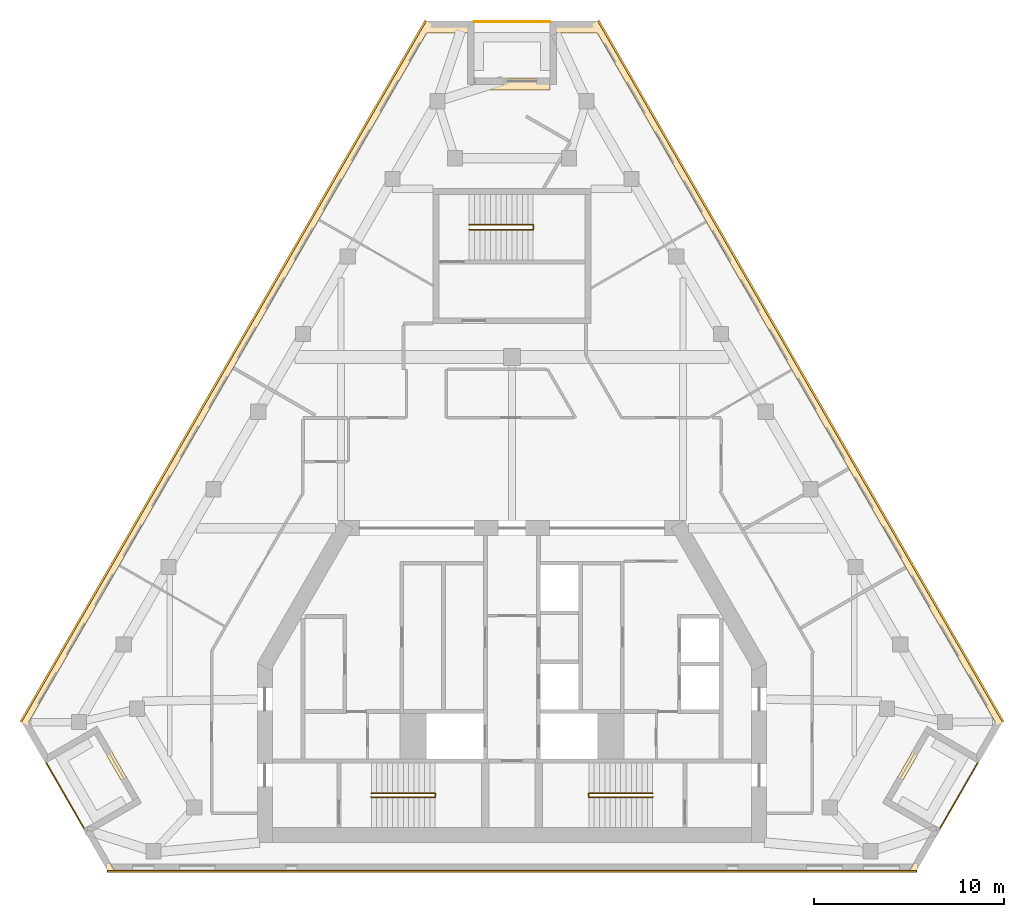
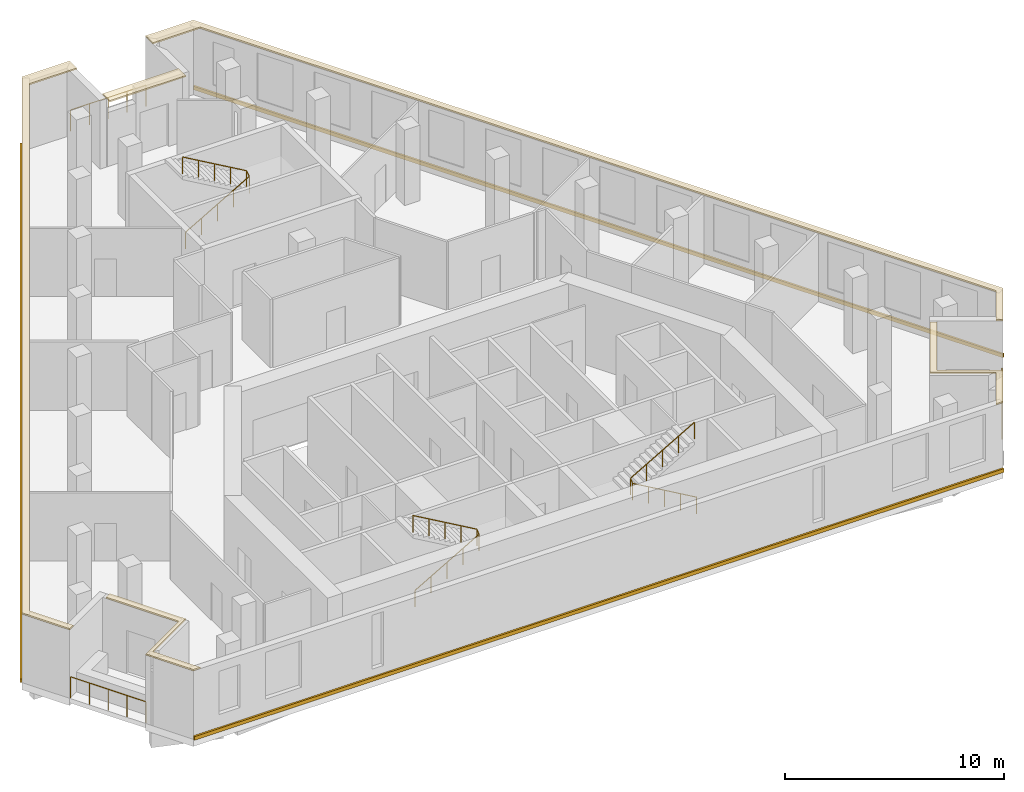
# One storey, part 8 of 8: 8 coverings, 6 railings.
"""IFC4 building model written with IfcOpenShell, lengths in metres."""

from ifc_helpers import new_model, si_unit, direction, frame, origin, origin_2d, place, context, subcontext, project, spatial, polyline, circle, outline, extrude, material, layer, layer_set, type_object, element, save


model = new_model("IFC4")

# Units and contexts
model_context = context("Model", 3, precision=1e-05, world=origin(), true_north=direction((0.0, 1.0)))
body_context = subcontext(model_context, "Body", "Model", "MODEL_VIEW")
ifc_project = project(units=[si_unit("LENGTHUNIT", "METRE"), si_unit("AREAUNIT", "SQUARE_METRE"), si_unit("VOLUMEUNIT", "CUBIC_METRE"), si_unit("PLANEANGLEUNIT", "RADIAN"), si_unit("MASSUNIT", "GRAM", prefix="KILO")], contexts=[model_context])

# Site, building, storey
site_placement = place(None, origin())
site = spatial("IfcSite", under=ifc_project, at=site_placement, CompositionType="ELEMENT")
building_placement = place(site_placement, origin())
building = spatial("IfcBuilding", under=site, at=building_placement, Name="Fogline Exchange Tower", CompositionType="ELEMENT")
storey_placement = place(building_placement, frame((0.0, 0.0, 275.10009765625)))
storey = spatial("IfcBuildingStorey", under=building, at=storey_placement, Name="L62", CompositionType="ELEMENT", Elevation=275.10009765625)

# Coverings
ifc_material_1 = material(Name="Granite", Category="masonry")
ifc_layer = layer(ifc_material_1, 0.080078125)
ifc_layer_set = layer_set([ifc_layer], Name="CP1")
covering_type_1 = type_object("IfcCoveringType", Name="CP1", PredefinedType="USERDEFINED", material=ifc_layer_set)
covering_1_placement = place(storey_placement, frame((0.0, 0.0, 3.7998046875)))
element("IfcCovering", 1, at=covering_1_placement, inside=storey, type_object=covering_type_1, Name="Ledge coping L62", ObjectType="COPING", PredefinedType="USERDEFINED", context=body_context, shape_type="SweptSolid", body=[
    extrude(outline(polyline([(-24.547119140625, 5.629150390625), (-24.267578125, 5.790283203125), (-25.424560546875, 7.794189453125), (-4.5, 44.03662109375), (-2.0, 44.03662109375), (-2.0, 44.681640625), (-4.5, 44.681640625), (-25.797119140625, 7.794189453125), (-24.547119140625, 5.629150390625)])), origin(), (0.0, 0.0, 1.0), 0.080078125),
])
covering_2_placement = place(storey_placement, frame((0.0, 0.0, 3.7998046875)))
element("IfcCovering", 2, at=covering_2_placement, inside=storey, type_object=covering_type_1, Name="Ledge coping L62", ObjectType="COPING", PredefinedType="USERDEFINED", context=body_context, shape_type="SweptSolid", body=[
    extrude(outline(polyline([(-21.297119140625, 0.0), (-20.924560546875, 0.0), (-22.174560546875, 2.1650390625), (-19.576416015625, 3.6650390625), (-21.576416015625, 7.129150390625), (-21.855712890625, 6.968017578125), (-19.948974609375, 3.6650390625), (-22.547119140625, 2.1650390625), (-21.297119140625, 0.0)])), origin(), (0.0, 0.0, 1.0), 0.080078125),
])
covering_3_placement = place(storey_placement, frame((0.0, 0.0, 3.7998046875)))
element("IfcCovering", 3, at=covering_3_placement, inside=storey, type_object=covering_type_1, Name="Ledge coping L62", ObjectType="COPING", PredefinedType="USERDEFINED", context=body_context, shape_type="SweptSolid", body=[
    extrude(outline(polyline([(19.948974609375, 3.6650390625), (21.855712890625, 6.968017578125), (21.576416015625, 7.129150390625), (19.576416015625, 3.6650390625), (22.174560546875, 2.1650390625), (20.924560546875, 0.0), (21.297119140625, 0.0), (22.547119140625, 2.1650390625), (19.948974609375, 3.6650390625)])), origin(), (0.0, 0.0, 1.0), 0.080078125),
])
covering_4_placement = place(storey_placement, frame((0.0, 0.0, 3.7998046875)))
element("IfcCovering", 4, at=covering_4_placement, inside=storey, type_object=covering_type_1, Name="Ledge coping L62", ObjectType="COPING", PredefinedType="USERDEFINED", context=body_context, shape_type="SweptSolid", body=[
    extrude(outline(polyline([(2.0, 44.681640625), (2.0, 44.03662109375), (4.5, 44.03662109375), (25.424560546875, 7.794189453125), (24.267578125, 5.790283203125), (24.547119140625, 5.629150390625), (25.797119140625, 7.794189453125), (4.5, 44.681640625), (2.0, 44.681640625)])), origin(), (0.0, 0.0, 1.0), 0.080078125),
])
covering_5_placement = place(storey_placement, frame((0.0, 0.0, 3.7998046875)))
element("IfcCovering", 5, at=covering_5_placement, inside=storey, type_object=covering_type_1, Name="Ledge coping L62", ObjectType="COPING", PredefinedType="USERDEFINED", context=body_context, shape_type="SweptSolid", body=[
    extrude(outline(polyline([(2.0, 41.681640625), (-2.0, 41.681640625), (-2.0, 41.03662109375), (2.0, 41.03662109375), (2.0, 41.681640625)])), origin(), (0.0, 0.0, 1.0), 0.080078125),
])

# Railings
ifc_material_2 = material(Name="Stainless steel 304", Category="steel")
railing_type_1 = type_object("IfcRailingType", Name="G1", PredefinedType="GUARDRAIL", material=ifc_material_2)
railing_1_placement = place(storey_placement, frame((-24.4931640625, 5.635986328125, 0.0)))
element("IfcRailing", 6, at=railing_1_placement, inside=storey, type_object=railing_type_1, Name="Balcony guard L62 SW", PredefinedType="GUARDRAIL", context=body_context, shape_type="SweptSolid", body=[
    extrude(circle(Radius=0.02392578125, at=origin_2d()), frame((0.0, 0.0, 1.17578125), z_axis=(0.500000102728, -0.866025344474, 0.0), x_axis=(0.866025344474, 0.500000102728, 0.0)), (0.0, 0.0, 1.0), 3.9580078125),
    extrude(circle(Radius=0.02099609375, at=origin_2d()), origin(), (0.0, 0.0, 1.0), 1.15185546875),
    extrude(circle(Radius=0.02099609375, at=origin_2d()), frame((0.49462890625, -0.85693359375, 0.0)), (0.0, 0.0, 1.0), 1.15185546875),
    extrude(circle(Radius=0.02099609375, at=origin_2d()), frame((0.989501953125, -1.7138671875, 0.0)), (0.0, 0.0, 1.0), 1.15185546875),
    extrude(circle(Radius=0.02099609375, at=origin_2d()), frame((1.484375, -2.57080078125, 0.0)), (0.0, 0.0, 1.0), 1.15185546875),
    extrude(circle(Radius=0.02099609375, at=origin_2d()), frame((1.97900390625, -3.427734375, 0.0)), (0.0, 0.0, 1.0), 1.15185546875),
])
railing_2_placement = place(storey_placement, frame((22.51416015625, 2.208251953125, 0.0)))
element("IfcRailing", 7, at=railing_2_placement, inside=storey, type_object=railing_type_1, Name="Balcony guard L62 SE", PredefinedType="GUARDRAIL", context=body_context, shape_type="SweptSolid", body=[
    extrude(circle(Radius=0.02392578125, at=origin_2d()), frame((0.0, 0.0, 1.17578125), z_axis=(0.500000102728, 0.866025344474, 0.0), x_axis=(-0.866025344474, 0.500000102728, 0.0)), (0.0, 0.0, 1.0), 3.9580078125),
    extrude(circle(Radius=0.02099609375, at=origin_2d()), origin(), (0.0, 0.0, 1.0), 1.15185546875),
    extrude(circle(Radius=0.02099609375, at=origin_2d()), frame((0.49462890625, 0.85693359375, 0.0)), (0.0, 0.0, 1.0), 1.15185546875),
    extrude(circle(Radius=0.02099609375, at=origin_2d()), frame((0.989501953125, 1.7138671875, 0.0)), (0.0, 0.0, 1.0), 1.15185546875),
    extrude(circle(Radius=0.02099609375, at=origin_2d()), frame((1.484375, 2.57080078125, 0.0)), (0.0, 0.0, 1.0), 1.15185546875),
    extrude(circle(Radius=0.02099609375, at=origin_2d()), frame((1.97900390625, 3.427734375, 0.0)), (0.0, 0.0, 1.0), 1.15185546875),
])
railing_3_placement = place(storey_placement, frame((1.97900390625, 44.631591796875, 0.0)))
element("IfcRailing", 8, at=railing_3_placement, inside=storey, type_object=railing_type_1, Name="Balcony guard L62 N", PredefinedType="GUARDRAIL", context=body_context, shape_type="SweptSolid", body=[
    extrude(circle(Radius=0.02392578125, at=origin_2d()), frame((0.0, 0.0, 1.17578125), z_axis=(-1.0, 0.0, 0.0), x_axis=(0.0, -1.0, 0.0)), (0.0, 0.0, 1.0), 3.9580078125),
    extrude(circle(Radius=0.02099609375, at=origin_2d()), origin(), (0.0, 0.0, 1.0), 1.15185546875),
    extrude(circle(Radius=0.02099609375, at=origin_2d()), frame((-0.989501953125, 0.0, 0.0)), (0.0, 0.0, 1.0), 1.15185546875),
    extrude(circle(Radius=0.02099609375, at=origin_2d()), frame((-1.97900390625, 0.0, 0.0)), (0.0, 0.0, 1.0), 1.15185546875),
    extrude(circle(Radius=0.02099609375, at=origin_2d()), frame((-2.968505859375, 0.0, 0.0)), (0.0, 0.0, 1.0), 1.15185546875),
    extrude(circle(Radius=0.02099609375, at=origin_2d()), frame((-3.9580078125, 0.0, 0.0)), (0.0, 0.0, 1.0), 1.15185546875),
])
ifc_material_3 = material(Name="Steel Q235B", Category="steel")
railing_type_2 = type_object("IfcRailingType", Name="RL-HR", PredefinedType="HANDRAIL", material=ifc_material_3)
railing_4_placement = place(storey_placement, frame((-7.39990234375, 3.85009765625, 0.161376953125)))
element("IfcRailing", 9, at=railing_4_placement, inside=storey, type_object=railing_type_2, Name="Handrail ST1", PredefinedType="HANDRAIL", context=body_context, shape_type="SweptSolid", body=[
    extrude(circle(Radius=0.02392578125, at=origin_2d()), frame((0.0, 0.0, 0.92578125), z_axis=(0.866175107563, 0.0, 0.499740615757), x_axis=(0.0, 1.0, 0.0)), (0.0, 0.0, 1.0), 3.87890625),
    extrude(circle(Radius=0.02392578125, at=origin_2d()), frame((3.35986328125, 0.0, 2.8642578125), z_axis=(0.0, 0.777709044463, 0.628624404682), x_axis=(-1.0, 0.0, 0.0)), (0.0, 0.0, 1.0), 0.257080078125),
    extrude(circle(Radius=0.02392578125, at=origin_2d()), frame((3.35986328125, 0.199951171875, 3.02587890625), z_axis=(-0.866175107563, 0.0, 0.499740615757), x_axis=(0.0, -1.0, 0.0)), (0.0, 0.0, 1.0), 3.87890625),
    extrude(circle(Radius=0.02099609375, at=origin_2d()), origin(), (0.0, 0.0, 1.0), 0.90185546875),
    extrude(circle(Radius=0.02099609375, at=origin_2d()), frame((0.83984375, 0.0, 0.484619140625)), (0.0, 0.0, 1.0), 0.90185546875),
    extrude(circle(Radius=0.02099609375, at=origin_2d()), frame((1.679931640625, 0.0, 0.96923828125)), (0.0, 0.0, 1.0), 0.90185546875),
    extrude(circle(Radius=0.02099609375, at=origin_2d()), frame((2.52001953125, 0.0, 1.453857421875)), (0.0, 0.0, 1.0), 0.90185546875),
    extrude(circle(Radius=0.02099609375, at=origin_2d()), frame((3.35986328125, 0.0, 1.9384765625)), (0.0, 0.0, 1.0), 0.90185546875),
    extrude(circle(Radius=0.02099609375, at=origin_2d()), frame((3.35986328125, 0.199951171875, 2.10009765625)), (0.0, 0.0, 1.0), 0.90185546875),
    extrude(circle(Radius=0.02099609375, at=origin_2d()), frame((2.52001953125, 0.199951171875, 2.584716796875)), (0.0, 0.0, 1.0), 0.90185546875),
    extrude(circle(Radius=0.02099609375, at=origin_2d()), frame((1.679931640625, 0.199951171875, 3.0693359375)), (0.0, 0.0, 1.0), 0.90185546875),
    extrude(circle(Radius=0.02099609375, at=origin_2d()), frame((0.83984375, 0.199951171875, 3.553955078125)), (0.0, 0.0, 1.0), 0.90185546875),
    extrude(circle(Radius=0.02099609375, at=origin_2d()), frame((0.0, 0.199951171875, 4.03857421875)), (0.0, 0.0, 1.0), 0.90185546875),
])
railing_5_placement = place(storey_placement, frame((7.39990234375, 3.85009765625, 0.161376953125)))
element("IfcRailing", 10, at=railing_5_placement, inside=storey, type_object=railing_type_2, Name="Handrail ST2", PredefinedType="HANDRAIL", context=body_context, shape_type="SweptSolid", body=[
    extrude(circle(Radius=0.02392578125, at=origin_2d()), frame((0.0, 0.0, 0.92578125), z_axis=(-0.866175107563, 0.0, 0.499740615757), x_axis=(0.0, -1.0, 0.0)), (0.0, 0.0, 1.0), 3.87890625),
    extrude(circle(Radius=0.02392578125, at=origin_2d()), frame((-3.35986328125, 0.0, 2.8642578125), z_axis=(0.0, 0.777709044463, 0.628624404682), x_axis=(-1.0, 0.0, 0.0)), (0.0, 0.0, 1.0), 0.257080078125),
    extrude(circle(Radius=0.02392578125, at=origin_2d()), frame((-3.35986328125, 0.199951171875, 3.02587890625), z_axis=(0.866175107563, 0.0, 0.499740615757), x_axis=(0.0, 1.0, 0.0)), (0.0, 0.0, 1.0), 3.87890625),
    extrude(circle(Radius=0.02099609375, at=origin_2d()), origin(), (0.0, 0.0, 1.0), 0.90185546875),
    extrude(circle(Radius=0.02099609375, at=origin_2d()), frame((-0.83984375, 0.0, 0.484619140625)), (0.0, 0.0, 1.0), 0.90185546875),
    extrude(circle(Radius=0.02099609375, at=origin_2d()), frame((-1.679931640625, 0.0, 0.96923828125)), (0.0, 0.0, 1.0), 0.90185546875),
    extrude(circle(Radius=0.02099609375, at=origin_2d()), frame((-2.52001953125, 0.0, 1.453857421875)), (0.0, 0.0, 1.0), 0.90185546875),
    extrude(circle(Radius=0.02099609375, at=origin_2d()), frame((-3.35986328125, 0.0, 1.9384765625)), (0.0, 0.0, 1.0), 0.90185546875),
    extrude(circle(Radius=0.02099609375, at=origin_2d()), frame((-3.35986328125, 0.199951171875, 2.10009765625)), (0.0, 0.0, 1.0), 0.90185546875),
    extrude(circle(Radius=0.02099609375, at=origin_2d()), frame((-2.52001953125, 0.199951171875, 2.584716796875)), (0.0, 0.0, 1.0), 0.90185546875),
    extrude(circle(Radius=0.02099609375, at=origin_2d()), frame((-1.679931640625, 0.199951171875, 3.0693359375)), (0.0, 0.0, 1.0), 0.90185546875),
    extrude(circle(Radius=0.02099609375, at=origin_2d()), frame((-0.83984375, 0.199951171875, 3.553955078125)), (0.0, 0.0, 1.0), 0.90185546875),
    extrude(circle(Radius=0.02099609375, at=origin_2d()), frame((0.0, 0.199951171875, 4.03857421875)), (0.0, 0.0, 1.0), 0.90185546875),
])
railing_6_placement = place(storey_placement, frame((-2.25, 33.70703125, 0.161376953125)))
element("IfcRailing", 11, at=railing_6_placement, inside=storey, type_object=railing_type_2, Name="Handrail ST3", PredefinedType="HANDRAIL", context=body_context, shape_type="SweptSolid", body=[
    extrude(circle(Radius=0.02392578125, at=origin_2d()), frame((0.0, 0.0, 0.92578125), z_axis=(0.866190824863, 0.0, 0.499713372768), x_axis=(0.0, 1.0, 0.0)), (0.0, 0.0, 1.0), 3.879150390625),
    extrude(circle(Radius=0.02392578125, at=origin_2d()), frame((3.360107421875, 0.0, 2.8642578125), z_axis=(0.0, 0.839790117141, 0.542911189011), x_axis=(-1.0, 0.0, 0.0)), (0.0, 0.0, 1.0), 0.297607421875),
    extrude(circle(Radius=0.02392578125, at=origin_2d()), frame((3.360107421875, 0.25, 3.02587890625), z_axis=(-0.866190824863, 0.0, 0.499713372768), x_axis=(0.0, -1.0, 0.0)), (0.0, 0.0, 1.0), 3.879150390625),
    extrude(circle(Radius=0.02099609375, at=origin_2d()), origin(), (0.0, 0.0, 1.0), 0.90185546875),
    extrude(circle(Radius=0.02099609375, at=origin_2d()), frame((0.840087890625, 0.0, 0.484619140625)), (0.0, 0.0, 1.0), 0.90185546875),
    extrude(circle(Radius=0.02099609375, at=origin_2d()), frame((1.68017578125, 0.0, 0.96923828125)), (0.0, 0.0, 1.0), 0.90185546875),
    extrude(circle(Radius=0.02099609375, at=origin_2d()), frame((2.52001953125, 0.0, 1.453857421875)), (0.0, 0.0, 1.0), 0.90185546875),
    extrude(circle(Radius=0.02099609375, at=origin_2d()), frame((3.360107421875, 0.0, 1.9384765625)), (0.0, 0.0, 1.0), 0.90185546875),
    extrude(circle(Radius=0.02099609375, at=origin_2d()), frame((3.360107421875, 0.25, 2.10009765625)), (0.0, 0.0, 1.0), 0.90185546875),
    extrude(circle(Radius=0.02099609375, at=origin_2d()), frame((2.52001953125, 0.25, 2.584716796875)), (0.0, 0.0, 1.0), 0.90185546875),
    extrude(circle(Radius=0.02099609375, at=origin_2d()), frame((1.68017578125, 0.25, 3.0693359375)), (0.0, 0.0, 1.0), 0.90185546875),
    extrude(circle(Radius=0.02099609375, at=origin_2d()), frame((0.840087890625, 0.25, 3.553955078125)), (0.0, 0.0, 1.0), 0.90185546875),
    extrude(circle(Radius=0.02099609375, at=origin_2d()), frame((0.0, 0.25, 4.03857421875)), (0.0, 0.0, 1.0), 0.90185546875),
])

# Coverings
ifc_material_4 = material(Name="Brick masonry", Category="masonry")
covering_type_2 = type_object("IfcCoveringType", Name="SB1", PredefinedType="CLADDING", material=ifc_material_4)
covering_6_placement = place(storey_placement, origin())
element("IfcCovering", 12, at=covering_6_placement, inside=storey, type_object=covering_type_2, Name="Stringcourse band L62 S", PredefinedType="CLADDING", context=body_context, shape_type="SweptSolid", body=[
    extrude(outline(polyline([(-21.297119140625, 0.0), (-21.297119140625, -0.10009765625), (21.297119140625, -0.10009765625), (21.297119140625, 0.0), (-21.297119140625, 0.0)])), origin(), (0.0, 0.0, 1.0), 0.199951171875),
])
covering_7_placement = place(storey_placement, origin())
element("IfcCovering", 13, at=covering_7_placement, inside=storey, type_object=covering_type_2, Name="Stringcourse band L62 E", PredefinedType="CLADDING", context=body_context, shape_type="SweptSolid", body=[
    extrude(outline(polyline([(25.797119140625, 7.794189453125), (25.883544921875, 7.84423828125), (4.586669921875, 44.731689453125), (4.5, 44.681640625), (25.797119140625, 7.794189453125)])), origin(), (0.0, 0.0, 1.0), 0.199951171875),
])
covering_8_placement = place(storey_placement, origin())
element("IfcCovering", 14, at=covering_8_placement, inside=storey, type_object=covering_type_2, Name="Stringcourse band L62 W", PredefinedType="CLADDING", context=body_context, shape_type="SweptSolid", body=[
    extrude(outline(polyline([(-4.5, 44.681640625), (-4.586669921875, 44.731689453125), (-25.883544921875, 7.84423828125), (-25.797119140625, 7.794189453125), (-4.5, 44.681640625)])), origin(), (0.0, 0.0, 1.0), 0.199951171875),
])

save(model, "model.ifc")
